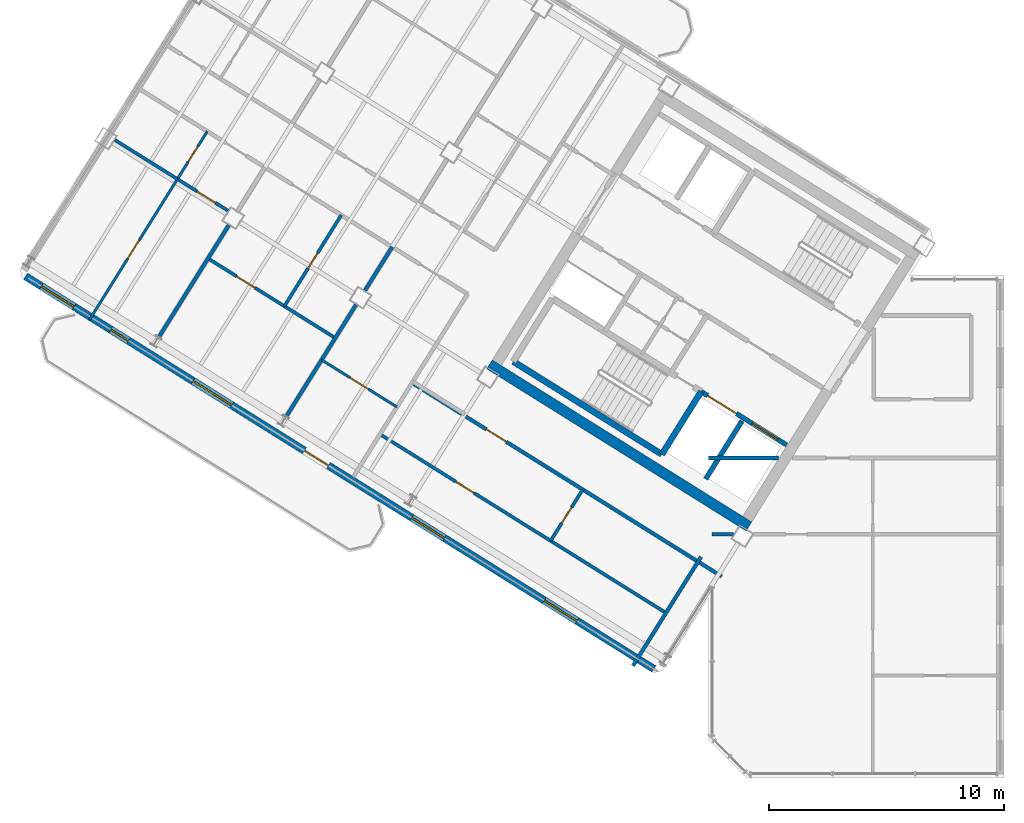
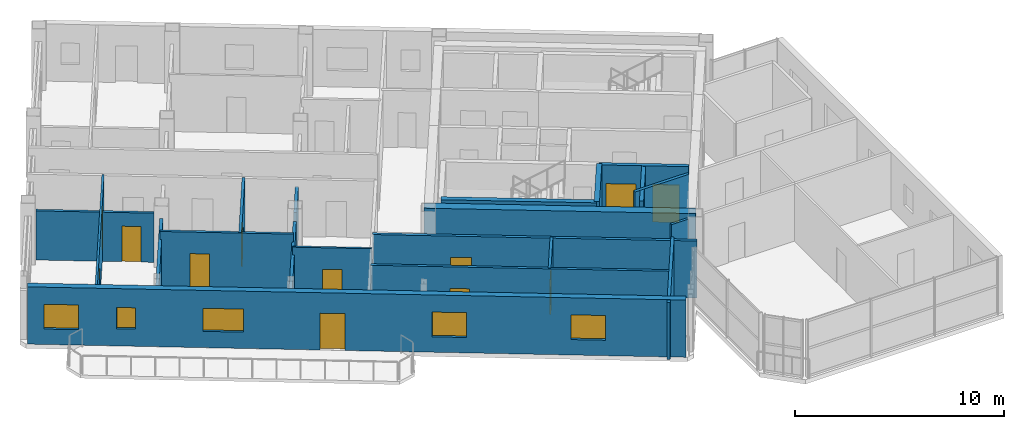
# One storey, part 8 of 17: 21 walls, 12 doors, 5 windows, 17 openings.
"""IFC4 building model written with IfcOpenShell, lengths in metres."""

from ifc_helpers import new_model, si_unit, direction, frame, frame_2d, origin, place, context, subcontext, project, spatial, rectangle, extrude, source, transform, mapped, material, layer, layer_set, type_object, element, fill, save


model = new_model("IFC4")

# Units and contexts
model_context = context("Model", 3, precision=1e-05, world=origin(), true_north=direction((0.0, 1.0)))
body_context = subcontext(model_context, "Body", "Model", "MODEL_VIEW")
ifc_project = project(units=[si_unit("LENGTHUNIT", "METRE"), si_unit("AREAUNIT", "SQUARE_METRE"), si_unit("VOLUMEUNIT", "CUBIC_METRE"), si_unit("PLANEANGLEUNIT", "RADIAN"), si_unit("MASSUNIT", "GRAM", prefix="KILO")], contexts=[model_context])

# Site, building, storey
site_placement = place(None, origin())
site = spatial("IfcSite", under=ifc_project, at=site_placement, CompositionType="ELEMENT")
building_placement = place(site_placement, origin())
building = spatial("IfcBuilding", under=site, at=building_placement, Name="Tlacorven Tower", CompositionType="ELEMENT")
storey_placement = place(building_placement, frame((0.0, 0.0, 270.0)))
storey = spatial("IfcBuildingStorey", under=building, at=storey_placement, Name="L68", CompositionType="ELEMENT", Elevation=270.0)

# Walls
ifc_material_1 = material(Name="Concrete C50/60", Category="concrete")
ifc_layer_1 = layer(ifc_material_1, 0.449951171875)
ifc_layer_set_1 = layer_set([ifc_layer_1], Name="Concrete C50/60")
wall_type_1 = type_object("IfcWallType", Name="WL-COR-450", PredefinedType="SHEAR", material=ifc_layer_set_1)
wall_1_placement = place(storey_placement, frame((33.32373046875, 12.5029296875, 0.0), z_axis=(0.0, 0.0, 1.0), x_axis=(-0.848043529849, 0.529926571782, 0.0)))
element("IfcWall", 1, at=wall_1_placement, inside=storey, type_object=wall_type_1, Name="L68 W core shear wall S2", PredefinedType="SHEAR", context=body_context, shape_type="SweptSolid", body=[
    extrude(rectangle(XDim=13.039794921875, YDim=0.449951171875, at=frame_2d((6.52001953125, 0.0))), origin(), (0.0, 0.0, 1.0), 3.35009765625),
])
ifc_material_2 = material(Name="Gypsum plasterboard acoustic partition", Category="gypsum")
ifc_layer_2 = layer(ifc_material_2, 0.159912109375)
ifc_layer_set_2 = layer_set([ifc_layer_2], Name="Gypsum plasterboard acoustic partition")
wall_type_2 = type_object("IfcWallType", Name="WL-DEM-160", PredefinedType="PARTITIONING", material=ifc_layer_set_2)
wall_2_placement = place(storey_placement, frame((18.114990234375, 24.423828125, 0.0), z_axis=(0.0, 0.0, 1.0), x_axis=(-0.529998940003, -0.847998304005, 0.0)))
element("IfcWall", 2, at=wall_2_placement, inside=storey, type_object=wall_type_2, Name="L68 WN Demising Wall 1", PredefinedType="PARTITIONING", context=body_context, shape_type="SweptSolid", body=[
    extrude(rectangle(XDim=2.18798828125, YDim=0.159912109375, at=frame_2d((1.093994140625, 0.0))), origin(), (0.0, 0.0, 1.0), 2.875),
])
for number, where, z_axis, x_axis, name in (
    (3, (16.57177734375, 21.954345703125, 0.0), (0.0, 0.0, 1.0), (-0.529904903214, -0.848057069748, 0.0), "L68 WN Demising Wall 1"),
    (4, (11.144287109375, 25.345947265625, 0.0), (0.0, 0.0, 1.0), (-0.529904903214, -0.848057069748, 0.0), "L68 WN Demising Wall 2"),
):
    element("IfcWall", number, at=place(storey_placement, frame(where, z_axis=z_axis, x_axis=x_axis)), inside=storey, type_object=wall_type_2, Name=name, PredefinedType="PARTITIONING", context=body_context, shape_type="SweptSolid", body=[
        extrude(rectangle(XDim=5.60107421875, YDim=0.159912109375, at=frame_2d((2.800537109375, 0.0))), origin(), (0.0, 0.0, 1.0), 2.875),
    ])

# Wall, opening, door
wall_3_placement = place(storey_placement, frame((32.164306640625, 10.373779296875, 0.0), z_axis=(0.0, 0.0, 1.0), x_axis=(-0.848044107957, 0.529925646633, 0.0)))
wall_3 = element("IfcWall", 5, at=wall_3_placement, inside=storey, type_object=wall_type_2, Name="L68 partition 47", PredefinedType="PARTITIONING", context=body_context, shape_type="SweptSolid", body=[
    extrude(rectangle(XDim=15.570068359375, YDim=0.159912109375, at=frame_2d((7.78515625, 0.0))), origin(), (0.0, 0.0, 1.0), 3.340087890625),
])
opening_1_placement = place(wall_3_placement, frame((10.830078125, 0.0, 0.0)))
opening_1 = element("IfcOpeningElement", 6, at=opening_1_placement, cuts=wall_3, Name="Opening D11", PredefinedType="OPENING", context=body_context, shape_type="SweptSolid", body=[
    extrude(rectangle(XDim=1.0, YDim=2.10009765625, at=frame_2d((0.5, 1.050048828125))), frame((0.0, 0.08984375, 0.0), z_axis=(0.0, -1.0, 0.0), x_axis=(1.0, 0.0, 0.0)), (0.0, 0.0, 1.0), 0.179931640625),
])
ifc_material_3 = material(Name="Fire-rated steel door assembly", Category="steel")
door_type_1 = type_object("IfcDoorType", Name="DR-FLT-FD60-1000", OperationType="NOTDEFINED", PredefinedType="DOOR", material=ifc_material_3)
shared_shape_1 = source(origin(), body_context, "Body", "SweptSolid", [
    extrude(rectangle(XDim=1.0, YDim=2.10009765625, at=frame_2d((0.5, 1.050048828125))), frame((0.0, 0.02490234375, 0.0), z_axis=(0.0, -1.0, 0.0), x_axis=(1.0, 0.0, 0.0)), (0.0, 0.0, 1.0), 0.050048828125),
])
door_1_placement = place(opening_1_placement, origin())
door_1 = element("IfcDoor", 7, at=door_1_placement, inside=storey, type_object=door_type_1, Name="L68 door 035", OperationType="SINGLE_SWING_LEFT", OverallHeight=2.10009765625, OverallWidth=1.0, PredefinedType="DOOR", context=body_context, shape_type="MappedRepresentation", body=[
    mapped(shared_shape_1, transform((0.0, 0.0, 0.0), scale=1.0)),
])
fill(opening_1, door_1)

# Walls
wall_4_placement = place(storey_placement, frame((31.282470703125, 11.2080078125, 0.0), z_axis=(0.0, 0.0, 1.0), x_axis=(-0.529938869374, -0.84803584519, 0.0)))
element("IfcWall", 8, at=wall_4_placement, inside=storey, type_object=wall_type_2, Name="L68 WC West Throat Wall", PredefinedType="PARTITIONING", context=body_context, shape_type="SweptSolid", body=[
    extrude(rectangle(XDim=5.47998046875, YDim=0.159912109375, at=frame_2d((2.739990234375, 0.0))), origin(), (0.0, 0.0, 1.0), 3.340087890625),
])
wall_5_placement = place(storey_placement, frame((31.60009765625, 15.419921875, 0.0), z_axis=(0.0, 0.0, 1.0), x_axis=(1.0, 0.0, 0.0)))
element("IfcWall", 9, at=wall_5_placement, inside=storey, type_object=wall_type_2, Name="L68 Knuckle Corridor South Wall", PredefinedType="PARTITIONING", context=body_context, shape_type="SweptSolid", body=[
    extrude(rectangle(XDim=2.984130859375, YDim=0.159912109375, at=frame_2d((1.4921875, 0.0))), origin(), (0.0, 0.0, 1.0), 3.340087890625),
])

# Wall, openings, door, windows
ifc_material_4 = material(Name="Precast concrete C45/55", Category="concrete")
ifc_layer_3 = layer(ifc_material_4, 0.320068359375)
ifc_layer_set_3 = layer_set([ifc_layer_3], Name="Precast concrete C45/55")
wall_type_3 = type_object("IfcWallType", Name="WL-EXT-320", PredefinedType="STANDARD", material=ifc_layer_set_3)
wall_6_placement = place(storey_placement, frame((29.267822265625, 6.429443359375, 0.0), z_axis=(0.0, 0.0, 1.0), x_axis=(-0.848049971435, 0.529916263149, 0.0)))
wall_6 = element("IfcWall", 10, at=wall_6_placement, inside=storey, type_object=wall_type_3, Name="L68 Masonry-Frame Recessed Facade Wall 2", PredefinedType="STANDARD", context=body_context, shape_type="SweptSolid", body=[
    extrude(rectangle(XDim=31.587646484375, YDim=0.320068359375, at=frame_2d((15.7939453125, 0.0))), origin(), (0.0, 0.0, 1.0), 3.35009765625),
])
opening_2_placement = place(wall_6_placement, frame((16.36181640625, 0.0, 0.0)))
opening_2 = element("IfcOpeningElement", 11, at=opening_2_placement, cuts=wall_6, Name="Opening D05", PredefinedType="OPENING", context=body_context, shape_type="SweptSolid", body=[
    extrude(rectangle(XDim=1.199951171875, YDim=2.14990234375, at=frame_2d((0.60009765625, 1.074951171875))), frame((0.0, 0.169921875, 0.0), z_axis=(0.0, -1.0, 0.0), x_axis=(1.0, 0.0, 0.0)), (0.0, 0.0, 1.0), 0.340087890625),
])
opening_3_placement = place(wall_6_placement, frame((3.858642578125, 0.0, 0.89990234375)))
opening_3 = element("IfcOpeningElement", 12, at=opening_3_placement, cuts=wall_6, Name="Opening WN07", PredefinedType="OPENING", context=body_context, shape_type="SweptSolid", body=[
    extrude(rectangle(XDim=1.64990234375, YDim=1.449951171875, at=frame_2d((0.824951171875, 0.72509765625))), frame((0.0, 0.169921875, 0.0), z_axis=(0.0, -1.0, 0.0), x_axis=(1.0, 0.0, 0.0)), (0.0, 0.0, 1.0), 0.340087890625),
])
opening_4_placement = place(wall_6_placement, frame((10.518798828125, 0.0, 0.89990234375)))
opening_4 = element("IfcOpeningElement", 13, at=opening_4_placement, cuts=wall_6, Name="Opening WN07", PredefinedType="OPENING", context=body_context, shape_type="SweptSolid", body=[
    extrude(rectangle(XDim=1.64990234375, YDim=1.449951171875, at=frame_2d((0.824951171875, 0.72509765625))), frame((0.0, 0.169921875, 0.0), z_axis=(0.0, -1.0, 0.0), x_axis=(1.0, 0.0, 0.0)), (0.0, 0.0, 1.0), 0.340087890625),
])
opening_5_placement = place(wall_6_placement, frame((21.21875, 0.0, 0.949951171875)))
opening_5 = element("IfcOpeningElement", 14, at=opening_5_placement, cuts=wall_6, Name="Opening WN09", PredefinedType="OPENING", context=body_context, shape_type="SweptSolid", body=[
    extrude(rectangle(XDim=1.949951171875, YDim=1.35009765625, at=frame_2d((0.97509765625, 0.675048828125))), frame((0.0, 0.169921875, 0.0), z_axis=(0.0, -1.0, 0.0), x_axis=(1.0, 0.0, 0.0)), (0.0, 0.0, 1.0), 0.340087890625),
])
opening_6_placement = place(wall_6_placement, frame((26.40625, 0.0, 1.0)))
opening_6 = element("IfcOpeningElement", 15, at=opening_6_placement, cuts=wall_6, Name="Opening WN05", PredefinedType="OPENING", context=body_context, shape_type="SweptSolid", body=[
    extrude(rectangle(XDim=0.89990234375, YDim=1.25, at=frame_2d((0.449951171875, 0.625))), frame((0.0, 0.169921875, 0.0), z_axis=(0.0, -1.0, 0.0), x_axis=(1.0, 0.0, 0.0)), (0.0, 0.0, 1.0), 0.340087890625),
])
opening_7_placement = place(wall_6_placement, frame((29.14306640625, 0.0, 0.89990234375)))
opening_7 = element("IfcOpeningElement", 16, at=opening_7_placement, cuts=wall_6, Name="Opening WN07", PredefinedType="OPENING", context=body_context, shape_type="SweptSolid", body=[
    extrude(rectangle(XDim=1.64990234375, YDim=1.449951171875, at=frame_2d((0.824951171875, 0.72509765625))), frame((0.0, 0.169921875, 0.0), z_axis=(0.0, -1.0, 0.0), x_axis=(1.0, 0.0, 0.0)), (0.0, 0.0, 1.0), 0.340087890625),
])
ifc_material_5 = material(Name="Powder-coated aluminium and timber door", Category="wood")
door_type_2 = type_object("IfcDoorType", Name="DR-EXT-BALC-1200", OperationType="NOTDEFINED", PredefinedType="DOOR", material=ifc_material_5)
shared_shape_2 = source(origin(), body_context, "Body", "SweptSolid", [
    extrude(rectangle(XDim=1.199951171875, YDim=2.14990234375, at=frame_2d((0.60009765625, 1.074951171875))), frame((0.0, 0.02490234375, 0.0), z_axis=(0.0, -1.0, 0.0), x_axis=(1.0, 0.0, 0.0)), (0.0, 0.0, 1.0), 0.050048828125),
])
door_2_placement = place(opening_2_placement, origin())
door_2 = element("IfcDoor", 17, at=door_2_placement, inside=storey, type_object=door_type_2, Name="L68 Outdoor Access Door BAL-L68-W-OUT", OperationType="SINGLE_SWING_LEFT", OverallHeight=2.14990234375, OverallWidth=1.199951171875, PredefinedType="DOOR", context=body_context, shape_type="MappedRepresentation", body=[
    mapped(shared_shape_2, transform((0.0, 0.0, 0.0), scale=1.0)),
])
fill(opening_2, door_2)
ifc_material_6 = material(Name="Dark solar low-E double glazing in anodised aluminium frame", Category="aluminium")
window_type_1 = type_object("IfcWindowType", Name="WN-APT-0900X1350", PartitioningType="SINGLE_PANEL", PredefinedType="WINDOW", material=ifc_material_6)
shared_shape_3 = source(origin(), body_context, "Body", "SweptSolid", [
    extrude(rectangle(XDim=0.89990234375, YDim=1.25, at=frame_2d((0.449951171875, 0.625))), frame((0.0, 0.030029296875, 0.0), z_axis=(0.0, -1.0, 0.0), x_axis=(1.0, 0.0, 0.0)), (0.0, 0.0, 1.0), 0.06005859375),
])
window_1_placement = place(opening_6_placement, origin())
window_1 = element("IfcWindow", 18, at=window_1_placement, inside=storey, type_object=window_type_1, Name="L68 Recessed Masonry-Frame Window L68-02.4", OverallHeight=1.25, OverallWidth=0.89990234375, PartitioningType="SINGLE_PANEL", PredefinedType="WINDOW", context=body_context, shape_type="MappedRepresentation", body=[
    mapped(shared_shape_3, transform((0.0, 0.0, 0.0), scale=1.0)),
])
fill(opening_6, window_1)
window_type_2 = type_object("IfcWindowType", Name="WN-APT-1650X1600", PartitioningType="SINGLE_PANEL", PredefinedType="WINDOW", material=ifc_material_6)
shared_shape_4 = source(origin(), body_context, "Body", "SweptSolid", [
    extrude(rectangle(XDim=1.64990234375, YDim=1.449951171875, at=frame_2d((0.824951171875, 0.72509765625))), frame((0.0, 0.030029296875, 0.0), z_axis=(0.0, -1.0, 0.0), x_axis=(1.0, 0.0, 0.0)), (0.0, 0.0, 1.0), 0.06005859375),
])
window_2_placement = place(opening_3_placement, origin())
window_2 = element("IfcWindow", 19, at=window_2_placement, inside=storey, type_object=window_type_2, Name="L68 Recessed Masonry-Frame Window L68-02.1", OverallHeight=1.449951171875, OverallWidth=1.64990234375, PartitioningType="SINGLE_PANEL", PredefinedType="WINDOW", context=body_context, shape_type="MappedRepresentation", body=[
    mapped(shared_shape_4, transform((0.0, 0.0, 0.0), scale=1.0)),
])
fill(opening_3, window_2)
window_3_placement = place(opening_4_placement, origin())
window_3 = element("IfcWindow", 20, at=window_3_placement, inside=storey, type_object=window_type_2, Name="L68 Recessed Masonry-Frame Window L68-02.2", OverallHeight=1.449951171875, OverallWidth=1.64990234375, PartitioningType="SINGLE_PANEL", PredefinedType="WINDOW", context=body_context, shape_type="MappedRepresentation", body=[
    mapped(shared_shape_4, transform((0.0, 0.0, 0.0), scale=1.0)),
])
fill(opening_4, window_3)
window_4_placement = place(opening_7_placement, origin())
window_4 = element("IfcWindow", 21, at=window_4_placement, inside=storey, type_object=window_type_2, Name="L68 Recessed Masonry-Frame Window L68-02.5", OverallHeight=1.449951171875, OverallWidth=1.64990234375, PartitioningType="SINGLE_PANEL", PredefinedType="WINDOW", context=body_context, shape_type="MappedRepresentation", body=[
    mapped(shared_shape_4, transform((0.0, 0.0, 0.0), scale=1.0)),
])
fill(opening_7, window_4)
window_type_3 = type_object("IfcWindowType", Name="WN-GAL-1950X1450", PartitioningType="SINGLE_PANEL", PredefinedType="WINDOW", material=ifc_material_6)
shared_shape_5 = source(origin(), body_context, "Body", "SweptSolid", [
    extrude(rectangle(XDim=1.949951171875, YDim=1.35009765625, at=frame_2d((0.97509765625, 0.675048828125))), frame((0.0, 0.030029296875, 0.0), z_axis=(0.0, -1.0, 0.0), x_axis=(1.0, 0.0, 0.0)), (0.0, 0.0, 1.0), 0.06005859375),
])
window_5_placement = place(opening_5_placement, origin())
window_5 = element("IfcWindow", 22, at=window_5_placement, inside=storey, type_object=window_type_3, Name="L68 Recessed Masonry-Frame Window L68-02.3", OverallHeight=1.35009765625, OverallWidth=1.949951171875, PartitioningType="SINGLE_PANEL", PredefinedType="WINDOW", context=body_context, shape_type="MappedRepresentation", body=[
    mapped(shared_shape_5, transform((0.0, 0.0, 0.0), scale=1.0)),
])
fill(opening_5, window_5)

# Wall, opening, door
ifc_material_7 = material(Name="Gypsum plasterboard partition", Category="gypsum")
ifc_layer_4 = layer(ifc_material_7, 0.110107421875)
ifc_layer_set_4 = layer_set([ifc_layer_4], Name="Gypsum plasterboard partition")
wall_type_4 = type_object("IfcWallType", Name="WL-INT-110", PredefinedType="PARTITIONING", material=ifc_layer_set_4)
wall_7_placement = place(storey_placement, frame((18.318115234375, 17.596923828125, 0.0), z_axis=(0.0, 0.0, 1.0), x_axis=(-0.848059820872, 0.529900500304, 0.0)))
wall_7 = element("IfcWall", 23, at=wall_7_placement, inside=storey, type_object=wall_type_4, Name="L68 partition 30", PredefinedType="PARTITIONING", context=body_context, shape_type="SweptSolid", body=[
    extrude(rectangle(XDim=3.7900390625, YDim=0.110107421875, at=frame_2d((1.89501953125, 0.0))), origin(), (0.0, 0.0, 1.0), 3.340087890625),
])
opening_8_placement = place(wall_7_placement, frame((1.43505859375, 0.0, 0.0)))
opening_8 = element("IfcOpeningElement", 24, at=opening_8_placement, cuts=wall_7, Name="Opening D12", PredefinedType="OPENING", context=body_context, shape_type="SweptSolid", body=[
    extrude(rectangle(XDim=0.919921875, YDim=2.080078125, at=frame_2d((0.4599609375, 1.0400390625))), frame((0.0, 0.06494140625, 0.0), z_axis=(0.0, -1.0, 0.0), x_axis=(1.0, 0.0, 0.0)), (0.0, 0.0, 1.0), 0.130126953125),
])
door_type_3 = type_object("IfcDoorType", Name="DR-INT-ROOM-0920", OperationType="NOTDEFINED", PredefinedType="DOOR", material=ifc_material_5)
shared_shape_6 = source(origin(), body_context, "Body", "SweptSolid", [
    extrude(rectangle(XDim=0.919921875, YDim=2.080078125, at=frame_2d((0.4599609375, 1.0400390625))), frame((0.0, 0.02490234375, 0.0), z_axis=(0.0, -1.0, 0.0), x_axis=(1.0, 0.0, 0.0)), (0.0, 0.0, 1.0), 0.050048828125),
])
door_3_placement = place(opening_8_placement, origin())
door_3 = element("IfcDoor", 25, at=door_3_placement, inside=storey, type_object=door_type_3, Name="L68 door 016", OperationType="SINGLE_SWING_RIGHT", OverallHeight=2.080078125, OverallWidth=0.919921875, PredefinedType="DOOR", context=body_context, shape_type="MappedRepresentation", body=[
    mapped(shared_shape_6, transform((0.0, 0.0, 0.0), scale=1.0)),
])
fill(opening_8, door_3)

# Wall, openings, doors
wall_8_placement = place(storey_placement, frame((10.22802734375, 29.35205078125, 0.0), z_axis=(0.0, 0.0, 1.0), x_axis=(-0.529917830441, -0.848048992088, 0.0)))
wall_8 = element("IfcWall", 26, at=wall_8_placement, inside=storey, type_object=wall_type_4, Name="L68 partition 34", PredefinedType="PARTITIONING", context=body_context, shape_type="SweptSolid", body=[
    extrude(rectangle(XDim=9.469970703125, YDim=0.110107421875, at=frame_2d((4.73486328125, 0.0))), origin(), (0.0, 0.0, 1.0), 3.340087890625),
])
opening_9_placement = place(wall_8_placement, frame((0.760009765625, 0.0, 0.0)))
opening_9 = element("IfcOpeningElement", 27, at=opening_9_placement, cuts=wall_8, Name="Opening D22", PredefinedType="OPENING", context=body_context, shape_type="SweptSolid", body=[
    extrude(rectangle(XDim=0.780029296875, YDim=2.050048828125, at=frame_2d((0.39013671875, 1.02490234375))), frame((0.0, 0.06494140625, 0.0), z_axis=(0.0, -1.0, 0.0), x_axis=(1.0, 0.0, 0.0)), (0.0, 0.0, 1.0), 0.130126953125),
])
opening_10_placement = place(wall_8_placement, frame((5.47509765625, 0.0, 0.0)))
opening_10 = element("IfcOpeningElement", 28, at=opening_10_placement, cuts=wall_8, Name="Opening D12", PredefinedType="OPENING", context=body_context, shape_type="SweptSolid", body=[
    extrude(rectangle(XDim=0.919921875, YDim=2.080078125, at=frame_2d((0.4599609375, 1.0400390625))), frame((0.0, 0.06494140625, 0.0), z_axis=(0.0, -1.0, 0.0), x_axis=(1.0, 0.0, 0.0)), (0.0, 0.0, 1.0), 0.130126953125),
])
door_type_4 = type_object("IfcDoorType", Name="DR-INT-WET-0780", OperationType="NOTDEFINED", PredefinedType="DOOR", material=ifc_material_5)
shared_shape_7 = source(origin(), body_context, "Body", "SweptSolid", [
    extrude(rectangle(XDim=0.780029296875, YDim=2.050048828125, at=frame_2d((0.39013671875, 1.02490234375))), frame((0.0, 0.02490234375, 0.0), z_axis=(0.0, -1.0, 0.0), x_axis=(1.0, 0.0, 0.0)), (0.0, 0.0, 1.0), 0.050048828125),
])
door_4_placement = place(opening_9_placement, origin())
door_4 = element("IfcDoor", 29, at=door_4_placement, inside=storey, type_object=door_type_4, Name="L68 door 023", OperationType="SINGLE_SWING_LEFT", OverallHeight=2.050048828125, OverallWidth=0.780029296875, PredefinedType="DOOR", context=body_context, shape_type="MappedRepresentation", body=[
    mapped(shared_shape_7, transform((0.0, 0.0, 0.0), scale=1.0)),
])
fill(opening_9, door_4)
door_5_placement = place(opening_10_placement, origin())
door_5 = element("IfcDoor", 30, at=door_5_placement, inside=storey, type_object=door_type_3, Name="L68 door 024", OperationType="SINGLE_SWING_RIGHT", OverallHeight=2.080078125, OverallWidth=0.919921875, PredefinedType="DOOR", context=body_context, shape_type="MappedRepresentation", body=[
    mapped(shared_shape_6, transform((0.0, 0.0, 0.0), scale=1.0)),
])
fill(opening_10, door_5)

# Wall, opening, door
ifc_material_8 = material(Name="Moisture-resistant gypsum plumbing wall", Category="gypsum")
ifc_layer_5 = layer(ifc_material_8, 0.139892578125)
ifc_layer_set_5 = layer_set([ifc_layer_5], Name="Moisture-resistant gypsum plumbing wall")
wall_type_5 = type_object("IfcWallType", Name="WL-PLM-140", PredefinedType="PLUMBINGWALL", material=ifc_layer_set_5)
wall_9_placement = place(storey_placement, frame((15.68798828125, 20.539794921875, 0.0), z_axis=(0.0, 0.0, 1.0), x_axis=(-0.848049732085, 0.529916646191, 0.0)))
wall_9 = element("IfcWall", 31, at=wall_9_placement, inside=storey, type_object=wall_type_5, Name="L68 partition 32", PredefinedType="PLUMBINGWALL", context=body_context, shape_type="SweptSolid", body=[
    extrude(rectangle(XDim=6.400146484375, YDim=0.139892578125, at=frame_2d((3.2001953125, 0.0))), origin(), (0.0, 0.0, 1.0), 3.340087890625),
])
opening_11_placement = place(wall_9_placement, frame((4.0400390625, 0.0, 0.0)))
opening_11 = element("IfcOpeningElement", 32, at=opening_11_placement, cuts=wall_9, Name="Opening D12", PredefinedType="OPENING", context=body_context, shape_type="SweptSolid", body=[
    extrude(rectangle(XDim=0.919921875, YDim=2.080078125, at=frame_2d((0.4599609375, 1.0400390625))), frame((0.0, 0.080078125, 0.0), z_axis=(0.0, -1.0, 0.0), x_axis=(1.0, 0.0, 0.0)), (0.0, 0.0, 1.0), 0.159912109375),
])
door_6_placement = place(opening_11_placement, origin())
door_6 = element("IfcDoor", 33, at=door_6_placement, inside=storey, type_object=door_type_3, Name="L68 door 018", OperationType="SINGLE_SWING_RIGHT", OverallHeight=2.080078125, OverallWidth=0.919921875, PredefinedType="DOOR", context=body_context, shape_type="MappedRepresentation", body=[
    mapped(shared_shape_6, transform((0.0, 0.0, 0.0), scale=1.0)),
])
fill(opening_11, door_6)

wall_10_placement = place(storey_placement, frame((15.94384765625, 25.780517578125, 0.0), z_axis=(0.0, 0.0, 1.0), x_axis=(-0.529917480809, -0.848049210561, 0.0)))
wall_10 = element("IfcWall", 34, at=wall_10_placement, inside=storey, type_object=wall_type_5, Name="L68 partition 33", PredefinedType="PLUMBINGWALL", context=body_context, shape_type="SweptSolid", body=[
    extrude(rectangle(XDim=4.580078125, YDim=0.139892578125, at=frame_2d((2.2900390625, 0.0))), origin(), (0.0, 0.0, 1.0), 3.340087890625),
])
opening_12_placement = place(wall_10_placement, frame((1.89990234375, 0.0, 0.0)))
opening_12 = element("IfcOpeningElement", 35, at=opening_12_placement, cuts=wall_10, Name="Opening D22", PredefinedType="OPENING", context=body_context, shape_type="SweptSolid", body=[
    extrude(rectangle(XDim=0.780029296875, YDim=2.050048828125, at=frame_2d((0.39013671875, 1.02490234375))), frame((0.0, 0.080078125, 0.0), z_axis=(0.0, -1.0, 0.0), x_axis=(1.0, 0.0, 0.0)), (0.0, 0.0, 1.0), 0.159912109375),
])
door_7_placement = place(opening_12_placement, origin())
door_7 = element("IfcDoor", 36, at=door_7_placement, inside=storey, type_object=door_type_4, Name="L68 door 019", OperationType="SINGLE_SWING_LEFT", OverallHeight=2.050048828125, OverallWidth=0.780029296875, PredefinedType="DOOR", context=body_context, shape_type="MappedRepresentation", body=[
    mapped(shared_shape_7, transform((0.0, 0.0, 0.0), scale=1.0)),
])
fill(opening_12, door_7)

wall_11_placement = place(storey_placement, frame((11.108642578125, 25.971923828125, 0.0), z_axis=(0.0, 0.0, 1.0), x_axis=(-0.848041534199, 0.529929765415, 0.0)))
wall_11 = element("IfcWall", 37, at=wall_11_placement, inside=storey, type_object=wall_type_5, Name="L68 partition 36", PredefinedType="PLUMBINGWALL", context=body_context, shape_type="SweptSolid", body=[
    extrude(rectangle(XDim=2.5380859375, YDim=0.139892578125, at=frame_2d((1.26904296875, 0.0))), origin(), (0.0, 0.0, 1.0), 2.875),
])
opening_13_placement = place(wall_11_placement, frame((0.6279296875, 0.0, 0.0)))
opening_13 = element("IfcOpeningElement", 38, at=opening_13_placement, cuts=wall_11, Name="Opening D12", PredefinedType="OPENING", context=body_context, shape_type="SweptSolid", body=[
    extrude(rectangle(XDim=0.919921875, YDim=2.080078125, at=frame_2d((0.4599609375, 1.0400390625))), frame((0.0, 0.080078125, 0.0), z_axis=(0.0, -1.0, 0.0), x_axis=(1.0, 0.0, 0.0)), (0.0, 0.0, 1.0), 0.159912109375),
])
door_8_placement = place(opening_13_placement, origin())
door_8 = element("IfcDoor", 39, at=door_8_placement, inside=storey, type_object=door_type_3, Name="L68 door 022", OperationType="SINGLE_SWING_RIGHT", OverallHeight=2.080078125, OverallWidth=0.919921875, PredefinedType="DOOR", context=body_context, shape_type="MappedRepresentation", body=[
    mapped(shared_shape_6, transform((0.0, 0.0, 0.0), scale=1.0)),
])
fill(opening_13, door_8)

# Wall
wall_12_placement = place(storey_placement, frame((8.956298828125, 27.31689453125, 0.0), z_axis=(0.0, 0.0, 1.0), x_axis=(-0.848050751193, 0.529915015264, 0.0)))
element("IfcWall", 40, at=wall_12_placement, inside=storey, type_object=wall_type_5, Name="L68 partition 37", PredefinedType="PLUMBINGWALL", context=body_context, shape_type="SweptSolid", body=[
    extrude(rectangle(XDim=3.137939453125, YDim=0.139892578125, at=frame_2d((1.56884765625, 0.0))), origin(), (0.0, 0.0, 1.0), 2.875),
])

# Wall, opening, door
wall_13_placement = place(storey_placement, frame((29.72021484375, 8.85888671875, 0.0), z_axis=(0.0, 0.0, 1.0), x_axis=(-0.848049134363, 0.529917602752, 0.0)))
wall_13 = element("IfcWall", 41, at=wall_13_placement, inside=storey, type_object=wall_type_5, Name="L68 partition 49", PredefinedType="PLUMBINGWALL", context=body_context, shape_type="SweptSolid", body=[
    extrude(rectangle(XDim=14.300048828125, YDim=0.139892578125, at=frame_2d((7.14990234375, 0.0))), origin(), (0.0, 0.0, 1.0), 3.340087890625),
])
opening_14_placement = place(wall_13_placement, frame((9.570068359375, 0.0, 0.0)))
opening_14 = element("IfcOpeningElement", 42, at=opening_14_placement, cuts=wall_13, Name="Opening D12", PredefinedType="OPENING", context=body_context, shape_type="SweptSolid", body=[
    extrude(rectangle(XDim=0.919921875, YDim=2.080078125, at=frame_2d((0.4599609375, 1.0400390625))), frame((0.0, 0.080078125, 0.0), z_axis=(0.0, -1.0, 0.0), x_axis=(1.0, 0.0, 0.0)), (0.0, 0.0, 1.0), 0.159912109375),
])
door_9_placement = place(opening_14_placement, origin())
door_9 = element("IfcDoor", 43, at=door_9_placement, inside=storey, type_object=door_type_3, Name="L68 door 036", OperationType="SINGLE_SWING_RIGHT", OverallHeight=2.080078125, OverallWidth=0.919921875, PredefinedType="DOOR", context=body_context, shape_type="MappedRepresentation", body=[
    mapped(shared_shape_6, transform((0.0, 0.0, 0.0), scale=1.0)),
])
fill(opening_14, door_9)

wall_14_placement = place(storey_placement, frame((26.236572265625, 14.077880859375, 0.0), z_axis=(0.0, 0.0, 1.0), x_axis=(-0.52995640672, -0.848024885824, 0.0)))
wall_14 = element("IfcWall", 44, at=wall_14_placement, inside=storey, type_object=wall_type_5, Name="L68 partition 50", PredefinedType="PLUMBINGWALL", context=body_context, shape_type="SweptSolid", body=[
    extrude(rectangle(XDim=2.579833984375, YDim=0.139892578125, at=frame_2d((1.2900390625, 0.0))), origin(), (0.0, 0.0, 1.0), 3.340087890625),
])
opening_15_placement = place(wall_14_placement, frame((0.89990234375, 0.0, 0.0)))
opening_15 = element("IfcOpeningElement", 45, at=opening_15_placement, cuts=wall_14, Name="Opening D22", PredefinedType="OPENING", context=body_context, shape_type="SweptSolid", body=[
    extrude(rectangle(XDim=0.780029296875, YDim=2.050048828125, at=frame_2d((0.39013671875, 1.02490234375))), frame((0.0, 0.080078125, 0.0), z_axis=(0.0, -1.0, 0.0), x_axis=(1.0, 0.0, 0.0)), (0.0, 0.0, 1.0), 0.159912109375),
])
door_10_placement = place(opening_15_placement, origin())
door_10 = element("IfcDoor", 46, at=door_10_placement, inside=storey, type_object=door_type_4, Name="L68 door 037", OperationType="SINGLE_SWING_LEFT", OverallHeight=2.050048828125, OverallWidth=0.780029296875, PredefinedType="DOOR", context=body_context, shape_type="MappedRepresentation", body=[
    mapped(shared_shape_7, transform((0.0, 0.0, 0.0), scale=1.0)),
])
fill(opening_15, door_10)

# Wall
wall_15_placement = place(storey_placement, frame((31.739990234375, 12.169921875, 0.0), z_axis=(0.0, 0.0, 1.0), x_axis=(1.0, 0.0, 0.0)))
element("IfcWall", 47, at=wall_15_placement, inside=storey, type_object=wall_type_5, Name="L68 partition 58", PredefinedType="PLUMBINGWALL", context=body_context, shape_type="SweptSolid", body=[
    extrude(rectangle(XDim=0.93115234375, YDim=0.139892578125, at=frame_2d((0.465576171875, 0.0))), origin(), (0.0, 0.0, 1.0), 3.340087890625),
])

# Wall, openings, doors
ifc_material_9 = material(Name="Concrete C40/50", Category="concrete")
ifc_layer_6 = layer(ifc_material_9, 0.199951171875)
ifc_layer_set_6 = layer_set([ifc_layer_6], Name="Concrete C40/50")
wall_type_6 = type_object("IfcWallType", Name="WL-SHF-200", PredefinedType="STANDARD", material=ifc_layer_set_6)
wall_16_placement = place(storey_placement, frame((34.93310546875, 15.978271484375, 0.0), z_axis=(0.0, 0.0, 1.0), x_axis=(-0.848055739377, 0.529907032327, 0.0)))
wall_16 = element("IfcWall", 48, at=wall_16_placement, inside=storey, type_object=wall_type_6, Name="L68 Core W Firefighting Lift Shaft Front Wall", PredefinedType="STANDARD", context=body_context, shape_type="SweptSolid", body=[
    extrude(rectangle(XDim=4.298095703125, YDim=0.199951171875, at=frame_2d((2.14892578125, 0.0))), origin(), (0.0, 0.0, 1.0), 3.340087890625),
])
opening_16_placement = place(wall_16_placement, frame((0.447998046875, 0.0, 0.0)))
opening_16 = element("IfcOpeningElement", 49, at=opening_16_placement, cuts=wall_16, Name="Opening LD03", PredefinedType="OPENING", context=body_context, shape_type="SweptSolid", body=[
    extrude(rectangle(XDim=1.300048828125, YDim=2.199951171875, at=frame_2d((0.64990234375, 1.10009765625))), frame((0.0, 0.10986328125, 0.0), z_axis=(0.0, -1.0, 0.0), x_axis=(1.0, 0.0, 0.0)), (0.0, 0.0, 1.0), 0.219970703125),
])
opening_17_placement = place(wall_16_placement, frame((2.52294921875, 0.0, 0.0)))
opening_17 = element("IfcOpeningElement", 50, at=opening_17_placement, cuts=wall_16, Name="Opening LD04", PredefinedType="OPENING", context=body_context, shape_type="SweptSolid", body=[
    extrude(rectangle(XDim=1.449951171875, YDim=2.25, at=frame_2d((0.72509765625, 1.125))), frame((0.0, 0.10986328125, 0.0), z_axis=(0.0, -1.0, 0.0), x_axis=(1.0, 0.0, 0.0)), (0.0, 0.0, 1.0), 0.219970703125),
])
door_type_5 = type_object("IfcDoorType", Name="DR-LFT-SLID-1300", OperationType="DOUBLE_DOOR_SLIDING", PredefinedType="DOOR", material=ifc_material_3)
shared_shape_8 = source(origin(), body_context, "Body", "SweptSolid", [
    extrude(rectangle(XDim=1.300048828125, YDim=2.199951171875, at=frame_2d((0.64990234375, 1.10009765625))), frame((0.0, 0.02490234375, 0.0), z_axis=(0.0, -1.0, 0.0), x_axis=(1.0, 0.0, 0.0)), (0.0, 0.0, 1.0), 0.050048828125),
])
door_11_placement = place(opening_16_placement, origin())
door_11 = element("IfcDoor", 51, at=door_11_placement, inside=storey, type_object=door_type_5, Name="L68 Lift FFL-W1 Sliding Landing Door", OperationType="DOUBLE_DOOR_SLIDING", OverallHeight=2.199951171875, OverallWidth=1.300048828125, PredefinedType="DOOR", context=body_context, shape_type="MappedRepresentation", body=[
    mapped(shared_shape_8, transform((0.0, 0.0, 0.0), scale=1.0)),
])
fill(opening_16, door_11)
door_type_6 = type_object("IfcDoorType", Name="DR-LFT-SLID-1450", OperationType="DOUBLE_DOOR_SLIDING", PredefinedType="DOOR", material=ifc_material_3)
shared_shape_9 = source(origin(), body_context, "Body", "SweptSolid", [
    extrude(rectangle(XDim=1.449951171875, YDim=2.25, at=frame_2d((0.72509765625, 1.125))), frame((0.0, 0.02490234375, 0.0), z_axis=(0.0, -1.0, 0.0), x_axis=(1.0, 0.0, 0.0)), (0.0, 0.0, 1.0), 0.050048828125),
])
door_12_placement = place(opening_17_placement, origin())
door_12 = element("IfcDoor", 52, at=door_12_placement, inside=storey, type_object=door_type_6, Name="L68 Lift SVL-W1 Sliding Landing Door", OperationType="DOUBLE_DOOR_SLIDING", OverallHeight=2.25, OverallWidth=1.449951171875, PredefinedType="DOOR", context=body_context, shape_type="MappedRepresentation", body=[
    mapped(shared_shape_9, transform((0.0, 0.0, 0.0), scale=1.0)),
])
fill(opening_17, door_12)

# Walls
wall_17_placement = place(storey_placement, frame((33.02880859375, 17.003173828125, 0.0), z_axis=(0.0, 0.0, 1.0), x_axis=(-0.529916267533, -0.848049968695, 0.0)))
element("IfcWall", 53, at=wall_17_placement, inside=storey, type_object=wall_type_6, Name="L68 partition 11", PredefinedType="STANDARD", context=body_context, shape_type="SweptSolid", body=[
    extrude(rectangle(XDim=2.919921875, YDim=0.199951171875, at=frame_2d((1.4599609375, 0.0))), origin(), (0.0, 0.0, 1.0), 3.340087890625),
])
ifc_layer_7 = layer(ifc_material_1, 0.260009765625)
ifc_layer_set_7 = layer_set([ifc_layer_7], Name="Concrete C50/60")
wall_type_7 = type_object("IfcWallType", Name="WL-STW-260", PredefinedType="SHEAR", material=ifc_layer_set_7)
wall_18_placement = place(storey_placement, frame((29.60498046875, 15.581298828125, 0.0), z_axis=(0.0, 0.0, 1.0), x_axis=(-0.848036911448, 0.529937163087, 0.0)))
element("IfcWall", 54, at=wall_18_placement, inside=storey, type_object=wall_type_7, Name="L68 Stair W1 Far Shear Wall", PredefinedType="SHEAR", context=body_context, shape_type="SweptSolid", body=[
    extrude(rectangle(XDim=7.4599609375, YDim=0.260009765625, at=frame_2d((3.72998046875, 0.0))), origin(), (0.0, 0.0, 1.0), 3.35009765625),
])
wall_19_placement = place(storey_placement, frame((31.2880859375, 18.255859375, 0.0), z_axis=(0.0, 0.0, 1.0), x_axis=(-0.529943379326, -0.848033026897, 0.0)))
element("IfcWall", 55, at=wall_19_placement, inside=storey, type_object=wall_type_7, Name="L68 Stair W1 West Shear Wall", PredefinedType="SHEAR", context=body_context, shape_type="SweptSolid", body=[
    extrude(rectangle(XDim=3.159912109375, YDim=0.260009765625, at=frame_2d((1.580078125, 0.0))), origin(), (0.0, 0.0, 1.0), 3.35009765625),
])

save(model, "model.ifc")
